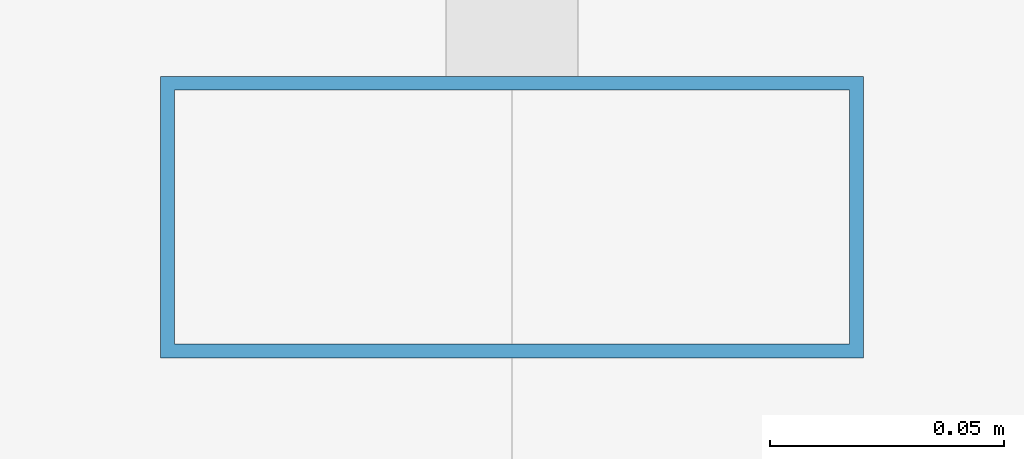
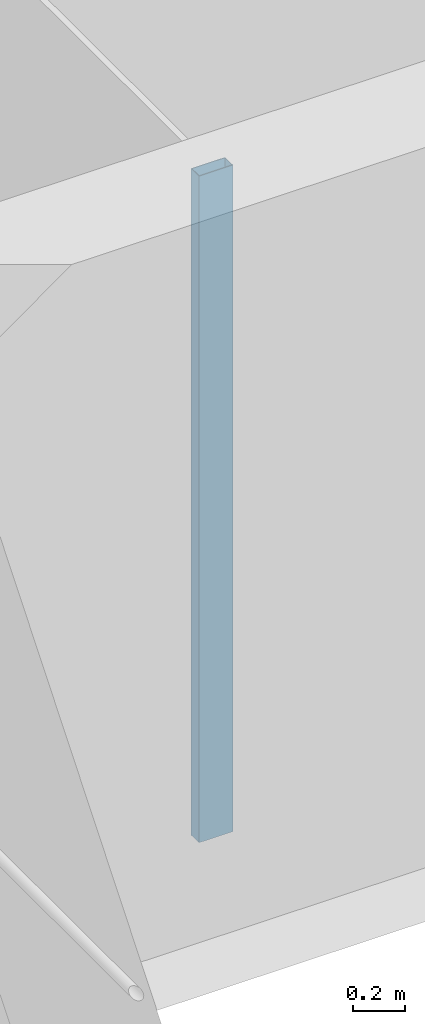
# One storey, part 11 of 41: 1 member, 1 element without a shape of its own.
"""IFC4 building model written with IfcOpenShell, lengths in metres."""

from ifc_helpers import new_model, si_unit, direction, frame, origin, origin_2d, place, context, subcontext, project, spatial, hollow_rectangle, extrude, material, material_profile, profile_set, type_object, element, aggregate, save


model = new_model("IFC4")

# Units and contexts
model_context = context("Model", 3, precision=1e-05, world=origin(), true_north=direction((0.0, 1.0)))
body_context = subcontext(model_context, "Body", "Model", "MODEL_VIEW")
ifc_project = project(units=[si_unit("LENGTHUNIT", "METRE"), si_unit("AREAUNIT", "SQUARE_METRE"), si_unit("VOLUMEUNIT", "CUBIC_METRE"), si_unit("PLANEANGLEUNIT", "RADIAN"), si_unit("MASSUNIT", "GRAM", prefix="KILO")], contexts=[model_context])

# Site, building, storey
site_placement = place(None, origin())
site = spatial("IfcSite", under=ifc_project, at=site_placement, CompositionType="ELEMENT")
building_placement = place(site_placement, origin())
building = spatial("IfcBuilding", under=site, at=building_placement, Name="Altepetl Exchange Towers", CompositionType="ELEMENT")
storey_placement = place(building_placement, frame((0.0, 0.0, 206.39990234375)))
storey = spatial("IfcBuildingStorey", under=building, at=storey_placement, Name="L52", CompositionType="ELEMENT", Elevation=206.39990234375)

# Curtain wall, member
ifc_material_1 = material(Name="Aluminium 6063-T6 glazing", Category="aluminium")
curtain_wall_type = type_object("IfcCurtainWallType", Name="Loggia glazing system", PredefinedType="NOTDEFINED", material=ifc_material_1)
curtain_wall_placement = place(storey_placement, origin())
curtain_wall = element("IfcCurtainWall", 1, at=curtain_wall_placement, inside=storey, type_object=curtain_wall_type, Name="CW1 run", PredefinedType="NOTDEFINED")
ifc_material_2 = material(Name="Aluminium 6063-T6", Category="aluminium")
ifc_material_profile = material_profile(ifc_material_2, hollow_rectangle(XDim=0.06005859375, YDim=0.14990234375, WallThickness=0.0029296875, at=origin_2d()), Name="Mullion 60x150 aluminium")
ifc_profile_set = profile_set([ifc_material_profile], Name="Aluminium 6063-T6")
member_type = type_object("IfcMemberType", Name="Mullion 60x150 aluminium", PredefinedType="MULLION", material=ifc_profile_set)
member_placement = place(storey_placement, frame((42.5, 58.60498046875, 0.0), z_axis=(0.0, 0.0, 1.0), x_axis=(0.0, -1.0, 0.0)))
member = element("IfcMember", 2, at=member_placement, type_object=member_type, Name="MU1 mullion", PredefinedType="MULLION", context=body_context, shape_type="SweptSolid", body=[
    extrude(hollow_rectangle(XDim=0.06005859375, YDim=0.14990234375, WallThickness=0.0029296875, at=origin_2d()), origin(), (0.0, 0.0, 1.0), 3.10009765625),
])
aggregate(curtain_wall, [member])

save(model, "model.ifc")
